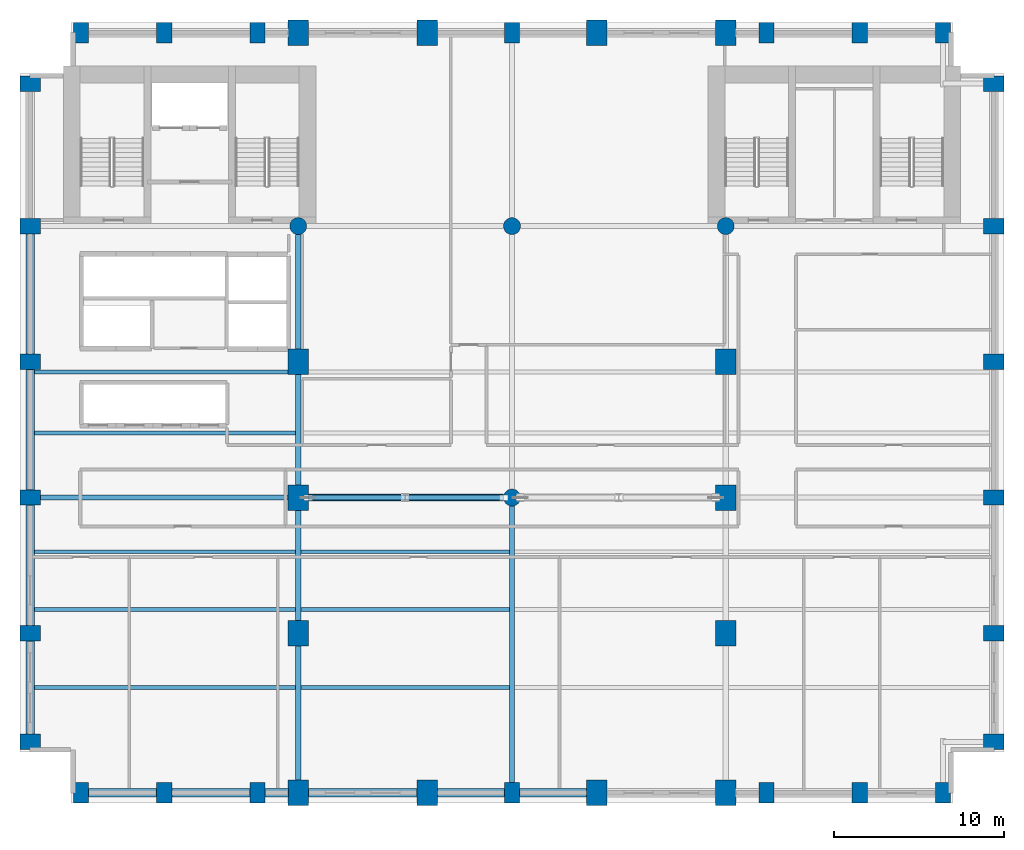
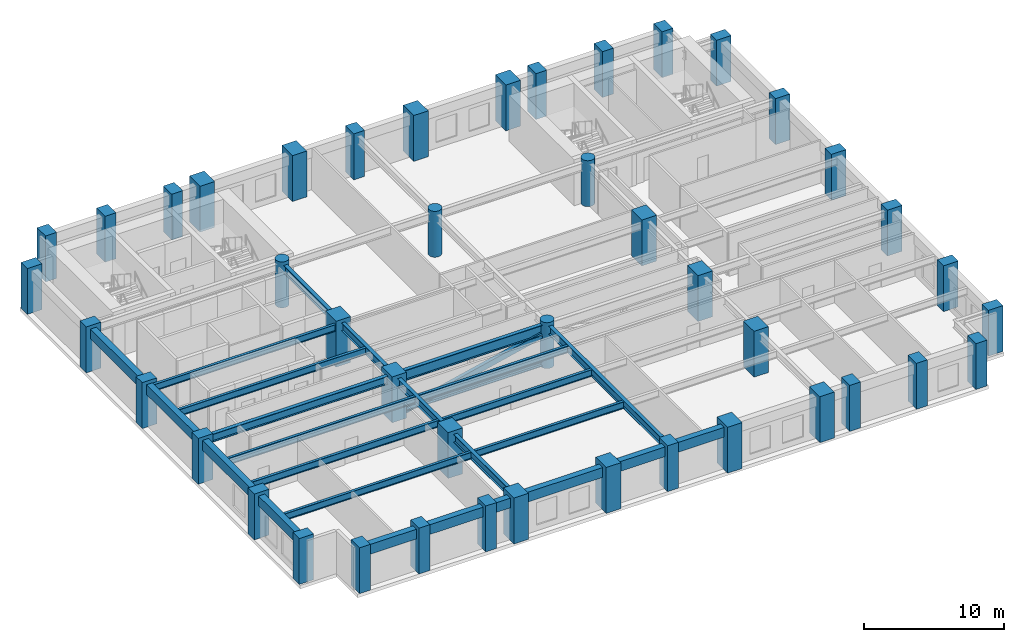
# One storey, part 1 of 10: 44 columns, 23 beams, 2 members.
"""IFC4 building model written with IfcOpenShell, lengths in metres."""

from ifc_helpers import new_model, si_unit, direction, frame, origin, origin_2d, place, context, subcontext, project, spatial, rectangle, hollow_rectangle, circle, i_section, extrude, material, material_profile, profile_set, type_object, element, save


model = new_model("IFC4")

# Units and contexts
model_context = context("Model", 3, precision=1e-05, world=origin(), true_north=direction((0.0, 1.0)))
body_context = subcontext(model_context, "Body", "Model", "MODEL_VIEW")
ifc_project = project(units=[si_unit("LENGTHUNIT", "METRE"), si_unit("AREAUNIT", "SQUARE_METRE"), si_unit("VOLUMEUNIT", "CUBIC_METRE"), si_unit("PLANEANGLEUNIT", "RADIAN"), si_unit("MASSUNIT", "GRAM", prefix="KILO")], contexts=[model_context])

# Site, building, storey
site_placement = place(None, origin())
site = spatial("IfcSite", under=ifc_project, at=site_placement, CompositionType="ELEMENT")
building_placement = place(site_placement, origin())
building = spatial("IfcBuilding", under=site, at=building_placement, Name="Sulina Concourse Tower", CompositionType="ELEMENT")
storey_placement = place(building_placement, frame((0.0, 0.0, 62.60009765625)))
storey = spatial("IfcBuildingStorey", under=building, at=storey_placement, Name="L15", CompositionType="ELEMENT", Elevation=62.60009765625)

# Columns
ifc_material_1 = material(Name="Concrete C60/75", Category="concrete")
ifc_material_profile_1 = material_profile(ifc_material_1, circle(Radius=0.5, at=origin_2d()), Name="RC D1000")
ifc_profile_set_1 = profile_set([ifc_material_profile_1], Name="Concrete C60/75")
column_type_1 = type_object("IfcColumnType", Name="Lower Interior Circular Column D1000", PredefinedType="COLUMN", material=ifc_profile_set_1)
for number, where, z_axis, x_axis, name in (
    (1, (16.39990234375, 34.0, 0.0), (0.0, 0.0, 1.0), (1.0, 0.0, 0.0), "L15 structural column IC-N-164"),
    (2, (29.0, 18.0, 0.0), (0.0, 0.0, 1.0), (1.0, 0.0, 0.0), "L15 structural column IC-M-290"),
    (3, (29.0, 34.0, 0.0), (0.0, 0.0, 1.0), (1.0, 0.0, 0.0), "L15 structural column IC-N-290"),
    (4, (41.60009765625, 34.0, 0.0), (0.0, 0.0, 1.0), (1.0, 0.0, 0.0), "L15 structural column IC-N-416"),
):
    element("IfcColumn", number, at=place(storey_placement, frame(where, z_axis=z_axis, x_axis=x_axis)), inside=storey, type_object=column_type_1, Name=name, PredefinedType="COLUMN", context=body_context, shape_type="SweptSolid", body=[
        extrude(circle(Radius=0.5, at=origin_2d()), origin(), (0.0, 0.0, 1.0), 4.0),
    ])
ifc_material_2 = material(Name="Concrete C80/95", Category="concrete")
ifc_material_profile_2 = material_profile(ifc_material_2, rectangle(XDim=1.199951171875, YDim=1.5, at=origin_2d()), Name="RC 1200x1500")
ifc_profile_set_2 = profile_set([ifc_material_profile_2], Name="Concrete C80/95")
column_type_2 = type_object("IfcColumnType", Name="Lower Portal End-Leg Column 1200x1500", PredefinedType="COLUMN", material=ifc_profile_set_2)
for number, where, z_axis, x_axis, name in (
    (5, (16.39990234375, 0.60009765625, 0.0), (0.0, 0.0, 1.0), (1.0, 0.0, 0.0), "L15 structural column TP-S-164"),
    (6, (16.39990234375, 45.39990234375, 0.0), (0.0, 0.0, 1.0), (1.0, 0.0, 0.0), "L15 structural column TP-N-164"),
    (7, (24.0, 0.60009765625, 0.0), (0.0, 0.0, 1.0), (1.0, 0.0, 0.0), "L15 structural column TP-S-240"),
    (8, (24.0, 45.39990234375, 0.0), (0.0, 0.0, 1.0), (1.0, 0.0, 0.0), "L15 structural column TP-N-240"),
    (9, (34.0, 0.60009765625, 0.0), (0.0, 0.0, 1.0), (1.0, 0.0, 0.0), "L15 structural column TP-S-340"),
    (10, (34.0, 45.39990234375, 0.0), (0.0, 0.0, 1.0), (1.0, 0.0, 0.0), "L15 structural column TP-N-340"),
    (11, (41.60009765625, 0.60009765625, 0.0), (0.0, 0.0, 1.0), (1.0, 0.0, 0.0), "L15 structural column TP-S-416"),
    (12, (41.60009765625, 45.39990234375, 0.0), (0.0, 0.0, 1.0), (1.0, 0.0, 0.0), "L15 structural column TP-N-416"),
    (13, (16.39990234375, 10.0, 0.0), (0.0, 0.0, 1.0), (1.0, 0.0, 0.0), "L15 structural column LP-FW-10"),
    (14, (41.60009765625, 10.0, 0.0), (0.0, 0.0, 1.0), (1.0, 0.0, 0.0), "L15 structural column LP-FE-10"),
    (15, (16.39990234375, 18.0, 0.0), (0.0, 0.0, 1.0), (1.0, 0.0, 0.0), "L15 structural column LP-FW-18"),
    (16, (41.60009765625, 18.0, 0.0), (0.0, 0.0, 1.0), (1.0, 0.0, 0.0), "L15 structural column LP-FE-18"),
    (17, (16.39990234375, 26.0, 0.0), (0.0, 0.0, 1.0), (1.0, 0.0, 0.0), "L15 structural column LP-FW-26"),
    (18, (41.60009765625, 26.0, 0.0), (0.0, 0.0, 1.0), (1.0, 0.0, 0.0), "L15 structural column LP-FE-26"),
):
    element("IfcColumn", number, at=place(storey_placement, frame(where, z_axis=z_axis, x_axis=x_axis)), inside=storey, type_object=column_type_2, Name=name, PredefinedType="COLUMN", context=body_context, shape_type="SweptSolid", body=[
        extrude(rectangle(XDim=1.199951171875, YDim=1.5, at=origin_2d()), origin(), (0.0, 0.0, 1.0), 4.0),
    ])
ifc_material_3 = material(Name="Precast concrete C60/75", Category="concrete")
ifc_material_profile_3 = material_profile(ifc_material_3, rectangle(XDim=0.89990234375, YDim=1.199951171875, at=origin_2d()), Name="PC 900x1200")
ifc_profile_set_3 = profile_set([ifc_material_profile_3], Name="Precast concrete C60/75")
column_type_3 = type_object("IfcColumnType", Name="Precast Tube Pier Zone 1 900x1200", PredefinedType="COLUMN", material=ifc_profile_set_3)
for number, where, z_axis, x_axis, name in (
    (19, (3.60009765625, 0.60009765625, 0.0), (0.0, 0.0, 1.0), (1.0, 0.0, 0.0), "L15 structural column TP-S-36"),
    (20, (3.60009765625, 45.39990234375, 0.0), (0.0, 0.0, 1.0), (1.0, 0.0, 0.0), "L15 structural column TP-N-36"),
    (21, (8.5, 0.60009765625, 0.0), (0.0, 0.0, 1.0), (1.0, 0.0, 0.0), "L15 structural column TP-S-85"),
    (22, (8.5, 45.39990234375, 0.0), (0.0, 0.0, 1.0), (1.0, 0.0, 0.0), "L15 structural column TP-N-85"),
    (23, (14.0, 0.60009765625, 0.0), (0.0, 0.0, 1.0), (1.0, 0.0, 0.0), "L15 structural column TP-S-140"),
    (24, (14.0, 45.39990234375, 0.0), (0.0, 0.0, 1.0), (1.0, 0.0, 0.0), "L15 structural column TP-N-140"),
    (25, (29.0, 0.60009765625, 0.0), (0.0, 0.0, 1.0), (1.0, 0.0, 0.0), "L15 structural column TP-S-290"),
    (26, (29.0, 45.39990234375, 0.0), (0.0, 0.0, 1.0), (1.0, 0.0, 0.0), "L15 structural column TP-N-290"),
    (27, (44.0, 0.60009765625, 0.0), (0.0, 0.0, 1.0), (1.0, 0.0, 0.0), "L15 structural column TP-S-440"),
    (28, (44.0, 45.39990234375, 0.0), (0.0, 0.0, 1.0), (1.0, 0.0, 0.0), "L15 structural column TP-N-440"),
    (29, (49.5, 0.60009765625, 0.0), (0.0, 0.0, 1.0), (1.0, 0.0, 0.0), "L15 structural column TP-S-495"),
    (30, (49.5, 45.39990234375, 0.0), (0.0, 0.0, 1.0), (1.0, 0.0, 0.0), "L15 structural column TP-N-495"),
    (31, (54.39990234375, 0.60009765625, 0.0), (0.0, 0.0, 1.0), (1.0, 0.0, 0.0), "L15 structural column TP-S-544"),
    (32, (54.39990234375, 45.39990234375, 0.0), (0.0, 0.0, 1.0), (1.0, 0.0, 0.0), "L15 structural column TP-N-544"),
    (33, (0.60009765625, 3.60009765625, 0.0), (0.0, 0.0, 1.0), (0.0, 1.0, 0.0), "L15 structural column TP-W-36"),
    (34, (57.39990234375, 3.60009765625, 0.0), (0.0, 0.0, 1.0), (0.0, 1.0, 0.0), "L15 structural column TP-E-36"),
    (35, (0.60009765625, 10.0, 0.0), (0.0, 0.0, 1.0), (0.0, 1.0, 0.0), "L15 structural column TP-W-100"),
    (36, (57.39990234375, 10.0, 0.0), (0.0, 0.0, 1.0), (0.0, 1.0, 0.0), "L15 structural column TP-E-100"),
    (37, (0.60009765625, 18.0, 0.0), (0.0, 0.0, 1.0), (0.0, 1.0, 0.0), "L15 structural column TP-W-180"),
    (38, (57.39990234375, 18.0, 0.0), (0.0, 0.0, 1.0), (0.0, 1.0, 0.0), "L15 structural column TP-E-180"),
    (39, (0.60009765625, 26.0, 0.0), (0.0, 0.0, 1.0), (0.0, 1.0, 0.0), "L15 structural column TP-W-260"),
    (40, (57.39990234375, 26.0, 0.0), (0.0, 0.0, 1.0), (0.0, 1.0, 0.0), "L15 structural column TP-E-260"),
    (41, (0.60009765625, 34.0, 0.0), (0.0, 0.0, 1.0), (0.0, 1.0, 0.0), "L15 structural column TP-W-340"),
    (42, (57.39990234375, 34.0, 0.0), (0.0, 0.0, 1.0), (0.0, 1.0, 0.0), "L15 structural column TP-E-340"),
    (43, (0.60009765625, 42.39990234375, 0.0), (0.0, 0.0, 1.0), (0.0, 1.0, 0.0), "L15 structural column TP-W-424"),
    (44, (57.39990234375, 42.39990234375, 0.0), (0.0, 0.0, 1.0), (0.0, 1.0, 0.0), "L15 structural column TP-E-424"),
):
    element("IfcColumn", number, at=place(storey_placement, frame(where, z_axis=z_axis, x_axis=x_axis)), inside=storey, type_object=column_type_3, Name=name, PredefinedType="COLUMN", context=body_context, shape_type="SweptSolid", body=[
        extrude(rectangle(XDim=0.89990234375, YDim=1.199951171875, at=origin_2d()), origin(), (0.0, 0.0, 1.0), 4.0),
    ])

# Beams
ifc_material_4 = material(Name="Steel S355", Category="steel")
ifc_material_profile_4 = material_profile(ifc_material_4, i_section(OverallWidth=0.219970703125, OverallDepth=0.60009765625, WebThickness=0.011962890625, FlangeThickness=0.01904296875, at=origin_2d()), Name="IPE 600")
ifc_profile_set_4 = profile_set([ifc_material_profile_4], Name="Steel S355")
beam_type_1 = type_object("IfcBeamType", Name="Composite Floor Joist IPE600", PredefinedType="JOIST", material=ifc_profile_set_4)
beam_1_placement = place(storey_placement, frame((0.85009765625, 6.800048828125, 3.39990234375), z_axis=(1.0, 0.0, 0.0), x_axis=(0.0, 1.0, 0.0)))
element("IfcBeam", 45, at=beam_1_placement, inside=storey, type_object=beam_type_1, Name="FJ-J06-1-L15", PredefinedType="JOIST", context=body_context, shape_type="SweptSolid", body=[
    extrude(i_section(OverallWidth=0.219970703125, OverallDepth=0.60009765625, WebThickness=0.011962890625, FlangeThickness=0.01904296875, at=origin_2d()), origin(), (0.0, 0.0, 1.0), 15.39990234375),
])
beam_2_placement = place(storey_placement, frame((16.550048828125, 6.800048828125, 3.39990234375), z_axis=(1.0, 0.0, 0.0), x_axis=(0.0, 1.0, 0.0)))
element("IfcBeam", 46, at=beam_2_placement, inside=storey, type_object=beam_type_1, Name="FJ-J06-2-L15", PredefinedType="JOIST", context=body_context, shape_type="SweptSolid", body=[
    extrude(i_section(OverallWidth=0.219970703125, OverallDepth=0.60009765625, WebThickness=0.011962890625, FlangeThickness=0.01904296875, at=origin_2d()), origin(), (0.0, 0.0, 1.0), 12.300048828125),
])
beam_3_placement = place(storey_placement, frame((0.85009765625, 11.39990234375, 3.39990234375), z_axis=(1.0, 0.0, 0.0), x_axis=(0.0, 1.0, 0.0)))
element("IfcBeam", 47, at=beam_3_placement, inside=storey, type_object=beam_type_1, Name="FJ-J11-1-L15", PredefinedType="JOIST", context=body_context, shape_type="SweptSolid", body=[
    extrude(i_section(OverallWidth=0.219970703125, OverallDepth=0.60009765625, WebThickness=0.011962890625, FlangeThickness=0.01904296875, at=origin_2d()), origin(), (0.0, 0.0, 1.0), 15.39990234375),
])
beam_4_placement = place(storey_placement, frame((16.550048828125, 11.39990234375, 3.39990234375), z_axis=(1.0, 0.0, 0.0), x_axis=(0.0, 1.0, 0.0)))
element("IfcBeam", 48, at=beam_4_placement, inside=storey, type_object=beam_type_1, Name="FJ-J11-2-L15", PredefinedType="JOIST", context=body_context, shape_type="SweptSolid", body=[
    extrude(i_section(OverallWidth=0.219970703125, OverallDepth=0.60009765625, WebThickness=0.011962890625, FlangeThickness=0.01904296875, at=origin_2d()), origin(), (0.0, 0.0, 1.0), 12.300048828125),
])
beam_5_placement = place(storey_placement, frame((0.85009765625, 14.800048828125, 3.39990234375), z_axis=(1.0, 0.0, 0.0), x_axis=(0.0, 1.0, 0.0)))
element("IfcBeam", 49, at=beam_5_placement, inside=storey, type_object=beam_type_1, Name="FJ-J15-1-L15", PredefinedType="JOIST", context=body_context, shape_type="SweptSolid", body=[
    extrude(i_section(OverallWidth=0.219970703125, OverallDepth=0.60009765625, WebThickness=0.011962890625, FlangeThickness=0.01904296875, at=origin_2d()), origin(), (0.0, 0.0, 1.0), 15.39990234375),
])
beam_6_placement = place(storey_placement, frame((16.550048828125, 14.800048828125, 3.39990234375), z_axis=(1.0, 0.0, 0.0), x_axis=(0.0, 1.0, 0.0)))
element("IfcBeam", 50, at=beam_6_placement, inside=storey, type_object=beam_type_1, Name="FJ-J15-2-L15", PredefinedType="JOIST", context=body_context, shape_type="SweptSolid", body=[
    extrude(i_section(OverallWidth=0.219970703125, OverallDepth=0.60009765625, WebThickness=0.011962890625, FlangeThickness=0.01904296875, at=origin_2d()), origin(), (0.0, 0.0, 1.0), 12.300048828125),
])
for number, where, z_axis, x_axis, name in (
    (51, (0.85009765625, 21.800048828125, 3.39990234375), (1.0, 0.0, 0.0), (0.0, 1.0, 0.0), "FJ-J22-1-L15"),
    (52, (0.85009765625, 25.39990234375, 3.39990234375), (1.0, 0.0, 0.0), (0.0, 1.0, 0.0), "FJ-J25-1-L15"),
):
    element("IfcBeam", number, at=place(storey_placement, frame(where, z_axis=z_axis, x_axis=x_axis)), inside=storey, type_object=beam_type_1, Name=name, PredefinedType="JOIST", context=body_context, shape_type="SweptSolid", body=[
        extrude(i_section(OverallWidth=0.219970703125, OverallDepth=0.60009765625, WebThickness=0.011962890625, FlangeThickness=0.01904296875, at=origin_2d()), origin(), (0.0, 0.0, 1.0), 15.39990234375),
    ])
ifc_material_5 = material(Name="Steel S355", Category="steel")
ifc_material_profile_5 = material_profile(ifc_material_5, i_section(OverallWidth=0.300048828125, OverallDepth=0.699951171875, WebThickness=0.01708984375, FlangeThickness=0.031982421875, at=origin_2d()), Name="HE 700 B")
ifc_profile_set_5 = profile_set([ifc_material_profile_5], Name="Steel S355")
beam_type_2 = type_object("IfcBeamType", Name="Floor Primary Girder Zone 1 HE700B", PredefinedType="BEAM", material=ifc_profile_set_5)
beam_7_placement = place(storey_placement, frame((1.030029296875, 18.0, 3.349853515625), z_axis=(1.0, 0.0, 0.0), x_axis=(0.0, 1.0, 0.0)))
element("IfcBeam", 53, at=beam_7_placement, inside=storey, type_object=beam_type_2, Name="FG-EW1-L15", PredefinedType="BEAM", context=body_context, shape_type="SweptSolid", body=[
    extrude(i_section(OverallWidth=0.300048828125, OverallDepth=0.699951171875, WebThickness=0.01708984375, FlangeThickness=0.031982421875, at=origin_2d()), origin(), (0.0, 0.0, 1.0), 14.7900390625),
])
beam_8_placement = place(storey_placement, frame((16.39990234375, 1.179931640625, 3.349853515625), z_axis=(0.0, 1.0, 0.0), x_axis=(-1.0, 0.0, 0.0)))
element("IfcBeam", 54, at=beam_8_placement, inside=storey, type_object=beam_type_2, Name="FG-NSA-16-L15", PredefinedType="BEAM", context=body_context, shape_type="SweptSolid", body=[
    extrude(i_section(OverallWidth=0.300048828125, OverallDepth=0.699951171875, WebThickness=0.01708984375, FlangeThickness=0.031982421875, at=origin_2d()), origin(), (0.0, 0.0, 1.0), 16.239990234375),
])
beam_9_placement = place(storey_placement, frame((16.39990234375, 18.580078125, 3.349853515625), z_axis=(0.0, 1.0, 0.0), x_axis=(-1.0, 0.0, 0.0)))
element("IfcBeam", 55, at=beam_9_placement, inside=storey, type_object=beam_type_2, Name="FG-NSB-16-L15", PredefinedType="BEAM", context=body_context, shape_type="SweptSolid", body=[
    extrude(i_section(OverallWidth=0.300048828125, OverallDepth=0.699951171875, WebThickness=0.01708984375, FlangeThickness=0.031982421875, at=origin_2d()), origin(), (0.0, 0.0, 1.0), 14.93994140625),
])
beam_10_placement = place(storey_placement, frame((29.0, 1.030029296875, 3.349853515625), z_axis=(0.0, 1.0, 0.0), x_axis=(-1.0, 0.0, 0.0)))
element("IfcBeam", 56, at=beam_10_placement, inside=storey, type_object=beam_type_2, Name="FG-NSA-29-L15", PredefinedType="BEAM", context=body_context, shape_type="SweptSolid", body=[
    extrude(i_section(OverallWidth=0.300048828125, OverallDepth=0.699951171875, WebThickness=0.01708984375, FlangeThickness=0.031982421875, at=origin_2d()), origin(), (0.0, 0.0, 1.0), 16.489990234375),
])

# Members
ifc_material_6 = material(Name="Steel S355", Category="steel")
ifc_material_profile_6 = material_profile(ifc_material_6, i_section(OverallWidth=0.412109375, OverallDepth=0.449951171875, WebThickness=0.041015625, FlangeThickness=0.068115234375, at=origin_2d()), Name="HD 400x509")
ifc_profile_set_6 = profile_set([ifc_material_profile_6], Name="Steel S355")
member_type_1 = type_object("IfcMemberType", Name="Lower Bridge Truss Chord HD400x509", PredefinedType="CHORD", material=ifc_profile_set_6)
member_1_placement = place(storey_placement, frame((16.989990234375, 18.0, 0.369873046875), z_axis=(1.0, 0.0, 0.0), x_axis=(0.0, 1.0, 0.0)))
element("IfcMember", 57, at=member_1_placement, inside=storey, type_object=member_type_1, Name="LBT-CH-1-L15", PredefinedType="CHORD", context=body_context, shape_type="SweptSolid", body=[
    extrude(i_section(OverallWidth=0.412109375, OverallDepth=0.449951171875, WebThickness=0.041015625, FlangeThickness=0.068115234375, at=origin_2d()), origin(), (0.0, 0.0, 1.0), 11.52001953125),
])
ifc_material_7 = material(Name="Steel S355", Category="steel")
ifc_material_profile_7 = material_profile(ifc_material_7, hollow_rectangle(XDim=0.300048828125, YDim=0.5, WallThickness=0.02001953125, at=origin_2d()), Name="RHS 500x300x20")
ifc_profile_set_7 = profile_set([ifc_material_profile_7], Name="Steel S355")
member_type_2 = type_object("IfcMemberType", Name="Lower Portal Bridge Diagonal RHS500x300x20", PredefinedType="BRACE", material=ifc_profile_set_7)
member_2_placement = place(storey_placement, frame((16.989990234375, 18.0, 0.119873046875), z_axis=(0.973992032443, 0.0, 0.226582260419), x_axis=(0.0, 1.0, 0.0)))
element("IfcMember", 58, at=member_2_placement, inside=storey, type_object=member_type_2, Name="LBT-DG-1-L15", PredefinedType="BRACE", context=body_context, shape_type="SweptSolid", body=[
    extrude(hollow_rectangle(XDim=0.300048828125, YDim=0.5, WallThickness=0.02001953125, at=origin_2d()), origin(), (0.0, 0.0, 1.0), 11.82763671875),
])

# Beams
ifc_material_8 = material(Name="Steel S355", Category="steel")
ifc_material_profile_8 = material_profile(ifc_material_8, i_section(OverallWidth=0.302001953125, OverallDepth=0.909912109375, WebThickness=0.02099609375, FlangeThickness=0.0400390625, at=origin_2d()), Name="HE 900 M")
ifc_profile_set_8 = profile_set([ifc_material_profile_8], Name="Steel S355")
beam_type_3 = type_object("IfcBeamType", Name="Lower Portal Bridge Girder HE900M", PredefinedType="BEAM", material=ifc_profile_set_8)
beam_11_placement = place(storey_placement, frame((16.97998046875, 18.0, 3.244873046875), z_axis=(1.0, 0.0, 0.0), x_axis=(0.0, 1.0, 0.0)))
element("IfcBeam", 59, at=beam_11_placement, inside=storey, type_object=beam_type_3, Name="FG-EW2-L15", PredefinedType="BEAM", context=body_context, shape_type="SweptSolid", body=[
    extrude(i_section(OverallWidth=0.302001953125, OverallDepth=0.909912109375, WebThickness=0.02099609375, FlangeThickness=0.0400390625, at=origin_2d()), origin(), (0.0, 0.0, 1.0), 11.5400390625),
])
ifc_material_9 = material(Name="Precast concrete C50/60", Category="concrete")
ifc_material_profile_9 = material_profile(ifc_material_9, rectangle(XDim=0.5, YDim=0.85009765625, at=origin_2d()), Name="RC 500x850")
ifc_profile_set_9 = profile_set([ifc_material_profile_9], Name="Precast concrete C50/60")
beam_type_4 = type_object("IfcBeamType", Name="Lower Precast Spandrel Edge Beam 500x850", PredefinedType="BEAM", material=ifc_profile_set_9)
beam_12_placement = place(storey_placement, frame((4.030029296875, 0.60009765625, 3.27490234375), z_axis=(1.0, 0.0, 0.0), x_axis=(0.0, 1.0, 0.0)))
element("IfcBeam", 60, at=beam_12_placement, inside=storey, type_object=beam_type_4, Name="SP-S1-L15", PredefinedType="BEAM", context=body_context, shape_type="SweptSolid", body=[
    extrude(rectangle(XDim=0.5, YDim=0.85009765625, at=origin_2d()), origin(), (0.0, 0.0, 1.0), 4.0400390625),
])
beam_13_placement = place(storey_placement, frame((8.929931640625, 0.60009765625, 3.27490234375), z_axis=(1.0, 0.0, 0.0), x_axis=(0.0, 1.0, 0.0)))
element("IfcBeam", 61, at=beam_13_placement, inside=storey, type_object=beam_type_4, Name="SP-S2-L15", PredefinedType="BEAM", context=body_context, shape_type="SweptSolid", body=[
    extrude(rectangle(XDim=0.5, YDim=0.85009765625, at=origin_2d()), origin(), (0.0, 0.0, 1.0), 4.64013671875),
])
beam_14_placement = place(storey_placement, frame((14.429931640625, 0.60009765625, 3.27490234375), z_axis=(1.0, 0.0, 0.0), x_axis=(0.0, 1.0, 0.0)))
element("IfcBeam", 62, at=beam_14_placement, inside=storey, type_object=beam_type_4, Name="SP-S3-L15", PredefinedType="BEAM", context=body_context, shape_type="SweptSolid", body=[
    extrude(rectangle(XDim=0.5, YDim=0.85009765625, at=origin_2d()), origin(), (0.0, 0.0, 1.0), 1.39013671875),
])
beam_15_placement = place(storey_placement, frame((16.97998046875, 0.60009765625, 3.27490234375), z_axis=(1.0, 0.0, 0.0), x_axis=(0.0, 1.0, 0.0)))
element("IfcBeam", 63, at=beam_15_placement, inside=storey, type_object=beam_type_4, Name="SP-S4-L15", PredefinedType="BEAM", context=body_context, shape_type="SweptSolid", body=[
    extrude(rectangle(XDim=0.5, YDim=0.85009765625, at=origin_2d()), origin(), (0.0, 0.0, 1.0), 6.43994140625),
])
for number, where, z_axis, x_axis, name in (
    (64, (24.580078125, 0.60009765625, 3.27490234375), (1.0, 0.0, 0.0), (0.0, 1.0, 0.0), "SP-S5-L15"),
    (65, (29.429931640625, 0.60009765625, 3.27490234375), (1.0, 0.0, 0.0), (0.0, 1.0, 0.0), "SP-S6-L15"),
):
    element("IfcBeam", number, at=place(storey_placement, frame(where, z_axis=z_axis, x_axis=x_axis)), inside=storey, type_object=beam_type_4, Name=name, PredefinedType="BEAM", context=body_context, shape_type="SweptSolid", body=[
        extrude(rectangle(XDim=0.5, YDim=0.85009765625, at=origin_2d()), origin(), (0.0, 0.0, 1.0), 3.989990234375),
    ])
beam_16_placement = place(storey_placement, frame((0.60009765625, 4.030029296875, 3.27490234375), z_axis=(0.0, 1.0, 0.0), x_axis=(-1.0, 0.0, 0.0)))
element("IfcBeam", 66, at=beam_16_placement, inside=storey, type_object=beam_type_4, Name="SP-W1-L15", PredefinedType="BEAM", context=body_context, shape_type="SweptSolid", body=[
    extrude(rectangle(XDim=0.5, YDim=0.85009765625, at=origin_2d()), origin(), (0.0, 0.0, 1.0), 5.5400390625),
])
for number, where, z_axis, x_axis, name in (
    (67, (0.60009765625, 10.429931640625, 3.27490234375), (0.0, 1.0, 0.0), (-1.0, 0.0, 0.0), "SP-W2-L15"),
    (68, (0.60009765625, 18.429931640625, 3.27490234375), (0.0, 1.0, 0.0), (-1.0, 0.0, 0.0), "SP-W3-L15"),
    (69, (0.60009765625, 26.429931640625, 3.27490234375), (0.0, 1.0, 0.0), (-1.0, 0.0, 0.0), "SP-W4-L15"),
):
    element("IfcBeam", number, at=place(storey_placement, frame(where, z_axis=z_axis, x_axis=x_axis)), inside=storey, type_object=beam_type_4, Name=name, PredefinedType="BEAM", context=body_context, shape_type="SweptSolid", body=[
        extrude(rectangle(XDim=0.5, YDim=0.85009765625, at=origin_2d()), origin(), (0.0, 0.0, 1.0), 7.14013671875),
    ])

save(model, "model.ifc")
